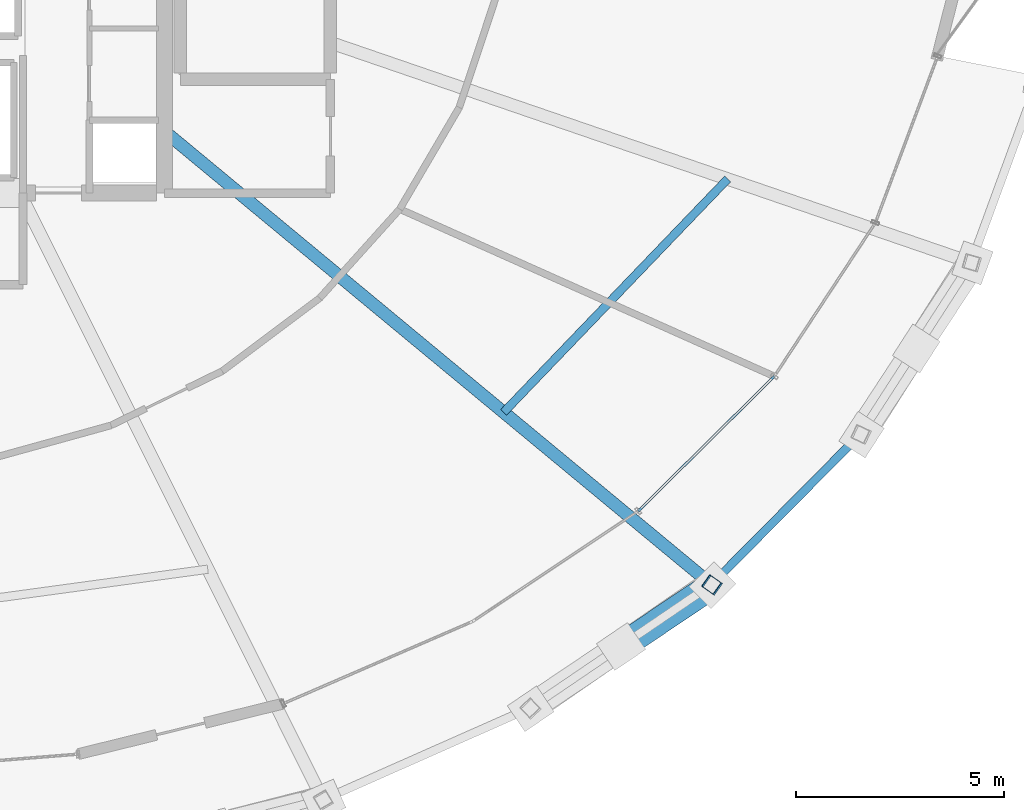
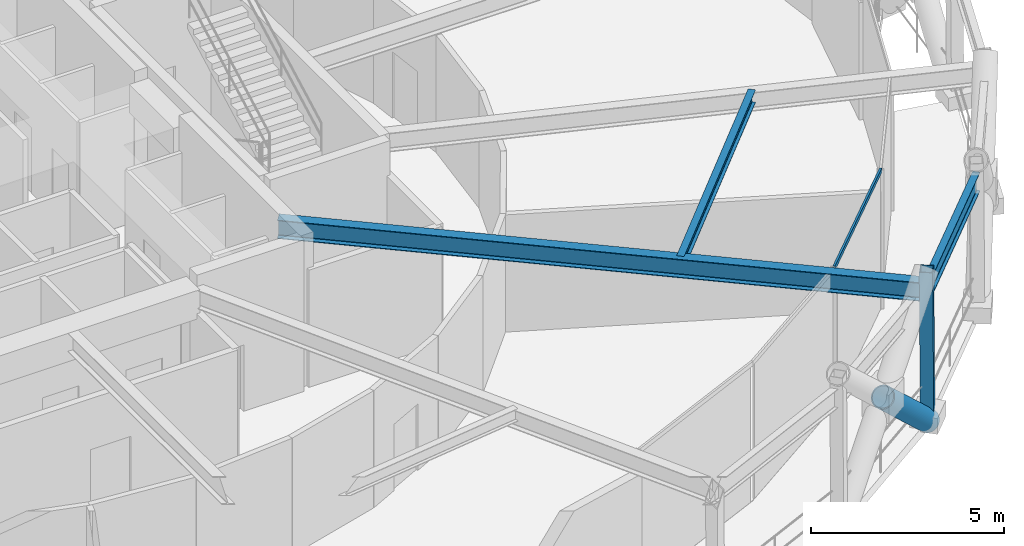
# One storey, part 14 of 39: 3 beams, 3 members, 1 element without a shape of its own.
"""IFC4 building model written with IfcOpenShell, lengths in metres."""

from ifc_helpers import new_model, si_unit, direction, frame, origin, origin_2d, place, context, subcontext, project, spatial, hollow_rectangle, hollow_circle, i_section, extrude, material, layer, layer_set, material_profile, profile_set, type_object, element, aggregate, save


model = new_model("IFC4")

# Units and contexts
model_context = context("Model", 3, precision=1e-05, world=origin(), true_north=direction((0.0, 1.0)))
body_context = subcontext(model_context, "Body", "Model", "MODEL_VIEW")
ifc_project = project(units=[si_unit("LENGTHUNIT", "METRE"), si_unit("AREAUNIT", "SQUARE_METRE"), si_unit("VOLUMEUNIT", "CUBIC_METRE"), si_unit("PLANEANGLEUNIT", "RADIAN"), si_unit("MASSUNIT", "GRAM", prefix="KILO")], contexts=[model_context])

# Site, building, storey
site_placement = place(None, origin())
site = spatial("IfcSite", under=ifc_project, at=site_placement, CompositionType="ELEMENT")
building_placement = place(site_placement, origin())
building = spatial("IfcBuilding", under=site, at=building_placement, Name="Veldorina Hangang Commons", CompositionType="ELEMENT")
storey_placement = place(building_placement, frame((0.0, 0.0, 106.0)))
storey = spatial("IfcBuildingStorey", under=building, at=storey_placement, Name="L27", CompositionType="ELEMENT", Elevation=106.0)

# Beams
ifc_material_1 = material(Name="Steel SM460-TMC", Category="steel")
ifc_material_profile_1 = material_profile(ifc_material_1, i_section(OverallWidth=0.300048828125, OverallDepth=0.587890625, WebThickness=0.011962890625, FlangeThickness=0.02001953125, FilletRadius=0.01806640625, at=origin_2d()), Name="H-588x300x12x20")
ifc_profile_set_1 = profile_set([ifc_material_profile_1], Name="Steel SM460-TMC")
beam_type_1 = type_object("IfcBeamType", Name="BM-FG588", PredefinedType="BEAM", material=ifc_profile_set_1)
beam_1_placement = place(storey_placement, frame((39.199951171875, 18.033447265625, 4.14599609375), z_axis=(0.769977546462, -0.638070981901, 0.0), x_axis=(0.638070981901, 0.769977546462, 0.0)))
element("IfcBeam", 1, at=beam_1_placement, inside=storey, type_object=beam_type_1, Name="L27 radial floor girder 15", PredefinedType="BEAM", context=body_context, shape_type="SweptSolid", body=[
    extrude(i_section(OverallWidth=0.300048828125, OverallDepth=0.587890625, WebThickness=0.011962890625, FlangeThickness=0.02001953125, FilletRadius=0.01806640625, at=origin_2d()), origin(), (0.0, 0.0, 1.0), 17.052001953125),
])
ifc_material_2 = material(Name="Steel SM355-TMC", Category="steel")
ifc_material_profile_2 = material_profile(ifc_material_2, i_section(OverallWidth=0.199951171875, OverallDepth=0.39990234375, WebThickness=0.008056640625, FlangeThickness=0.012939453125, FilletRadius=0.012939453125, at=origin_2d()), Name="H-400x200x8x13")
ifc_profile_set_2 = profile_set([ifc_material_profile_2], Name="Steel SM355-TMC")
beam_type_2 = type_object("IfcBeamType", Name="BM-JST400", PredefinedType="JOIST", material=ifc_profile_set_2)
beam_2_placement = place(storey_placement, frame((47.34033203125, 11.28759765625, 4.239990234375), z_axis=(0.692478152741, 0.721438845625, 0.0), x_axis=(-0.721438845625, 0.692478152741, 0.0)))
element("IfcBeam", 2, at=beam_2_placement, inside=storey, type_object=beam_type_2, Name="L27 secondary floor joist 15", PredefinedType="JOIST", context=body_context, shape_type="SweptSolid", body=[
    extrude(i_section(OverallWidth=0.199951171875, OverallDepth=0.39990234375, WebThickness=0.008056640625, FlangeThickness=0.012939453125, FilletRadius=0.012939453125, at=origin_2d()), origin(), (0.0, 0.0, 1.0), 7.76416015625),
])
ifc_material_3 = material(Name="Steel SM420-TMC", Category="steel")
ifc_material_profile_3 = material_profile(ifc_material_3, i_section(OverallWidth=0.199951171875, OverallDepth=0.60009765625, WebThickness=0.010986328125, FlangeThickness=0.01708984375, FilletRadius=0.01806640625, at=origin_2d()), Name="H-600x200x11x17")
ifc_profile_set_3 = profile_set([ifc_material_profile_3], Name="Steel SM420-TMC")
beam_type_3 = type_object("IfcBeamType", Name="BM-RB600", PredefinedType="BEAM", material=ifc_profile_set_3)
beam_3_placement = place(storey_placement, frame((52.32958984375, 7.153076171875, 4.139892578125), z_axis=(0.703663003513, 0.710533867938, 0.0), x_axis=(-0.710533867938, 0.703663003513, 0.0)))
element("IfcBeam", 3, at=beam_3_placement, inside=storey, type_object=beam_type_3, Name="L27 perimeter hoop ring beam 28", PredefinedType="BEAM", context=body_context, shape_type="SweptSolid", body=[
    extrude(i_section(OverallWidth=0.199951171875, OverallDepth=0.60009765625, WebThickness=0.010986328125, FlangeThickness=0.01708984375, FilletRadius=0.01806640625, at=origin_2d()), origin(), (0.0, 0.0, 1.0), 5.081298828125),
])

# Curtain wall, member
ifc_material_4 = material(Name="Glass Acoustic Laminated", Category="glass")
ifc_layer = layer(ifc_material_4, 0.179931640625)
ifc_layer_set = layer_set([ifc_layer], Name="Glass Acoustic Laminated")
curtain_wall_type = type_object("IfcCurtainWallType", Name="CW-SYS-SKY", PredefinedType="NOTDEFINED", material=ifc_layer_set)
curtain_wall_placement = place(storey_placement, origin())
curtain_wall = element("IfcCurtainWall", 4, at=curtain_wall_placement, inside=storey, type_object=curtain_wall_type, Name="L27 unitised curtain wall CW-L27-R12", PredefinedType="NOTDEFINED")
ifc_material_5 = material(Name="Aluminium Anodized AA6063-T6", Category="aluminium")
ifc_material_profile_4 = material_profile(ifc_material_5, hollow_rectangle(XDim=0.06005859375, YDim=0.139892578125, WallThickness=0.00341796875, at=origin_2d()), Name="ALU-RHS-140x60x3.5")
ifc_profile_set_4 = profile_set([ifc_material_profile_4], Name="Aluminium Anodized AA6063-T6")
member_type_1 = type_object("IfcMemberType", Name="CW-TRN-140", PredefinedType="USERDEFINED", material=ifc_profile_set_4)
member_1_placement = place(storey_placement, frame((50.57080078125, 8.918701171875, 4.360107421875), z_axis=(0.710816325404, 0.703377673472, 0.0), x_axis=(-0.703377673472, 0.710816325404, 0.0)))
member_1 = element("IfcMember", 5, at=member_1_placement, type_object=member_type_1, Name="CW-L27-R12 facet 3 transom 1", ObjectType="TRANSOM", PredefinedType="USERDEFINED", context=body_context, shape_type="SweptSolid", body=[
    extrude(hollow_rectangle(XDim=0.06005859375, YDim=0.139892578125, WallThickness=0.00341796875, at=origin_2d()), origin(), (0.0, 0.0, 1.0), 4.594970703125),
])
aggregate(curtain_wall, [member_1])

# Members
ifc_material_profile_5 = material_profile(ifc_material_1, hollow_circle(Radius=0.324951171875, WallThickness=0.031982421875, at=origin_2d()), Name="CHS-650x32")
ifc_profile_set_5 = profile_set([ifc_material_profile_5], Name="Steel SM460-TMC")
member_type_2 = type_object("IfcMemberType", Name="DG-CHS650", PredefinedType="BRACE", material=ifc_profile_set_5)
member_2_placement = place(storey_placement, frame((52.3525390625, 7.13671875, 0.0), z_axis=(-0.614218634234, -0.412465491935, 0.672761240949), x_axis=(0.557491529371, -0.830182627305, 0.0)))
element("IfcMember", 6, at=member_2_placement, inside=storey, type_object=member_type_2, Name="L27 split perimeter diagrid lower brace 28", PredefinedType="BRACE", context=body_context, shape_type="SweptSolid", body=[
    extrude(hollow_circle(Radius=0.324951171875, WallThickness=0.031982421875, at=origin_2d()), origin(), (0.0, 0.0, 1.0), 3.56982421875),
])
ifc_material_profile_6 = material_profile(ifc_material_2, hollow_rectangle(XDim=0.35009765625, YDim=0.35009765625, WallThickness=0.01611328125, at=origin_2d()), Name="SHS-350x350x16")
ifc_profile_set_6 = profile_set([ifc_material_profile_6], Name="Steel SM355-TMC")
member_type_3 = type_object("IfcMemberType", Name="STR-SHS350", PredefinedType="STRUT", material=ifc_profile_set_6)
member_3_placement = place(storey_placement, frame((52.3525390625, 7.13671875, 0.0), z_axis=(-0.005543842585, 0.003916292469, 0.999976963966), x_axis=(-0.576977350994, -0.816760146212, 0.0)))
element("IfcMember", 7, at=member_3_placement, inside=storey, type_object=member_type_3, Name="L27 perimeter ring node post 28", PredefinedType="STRUT", context=body_context, shape_type="SweptSolid", body=[
    extrude(hollow_rectangle(XDim=0.35009765625, YDim=0.35009765625, WallThickness=0.01611328125, at=origin_2d()), origin(), (0.0, 0.0, 1.0), 4.800048828125),
])

save(model, "model.ifc")
